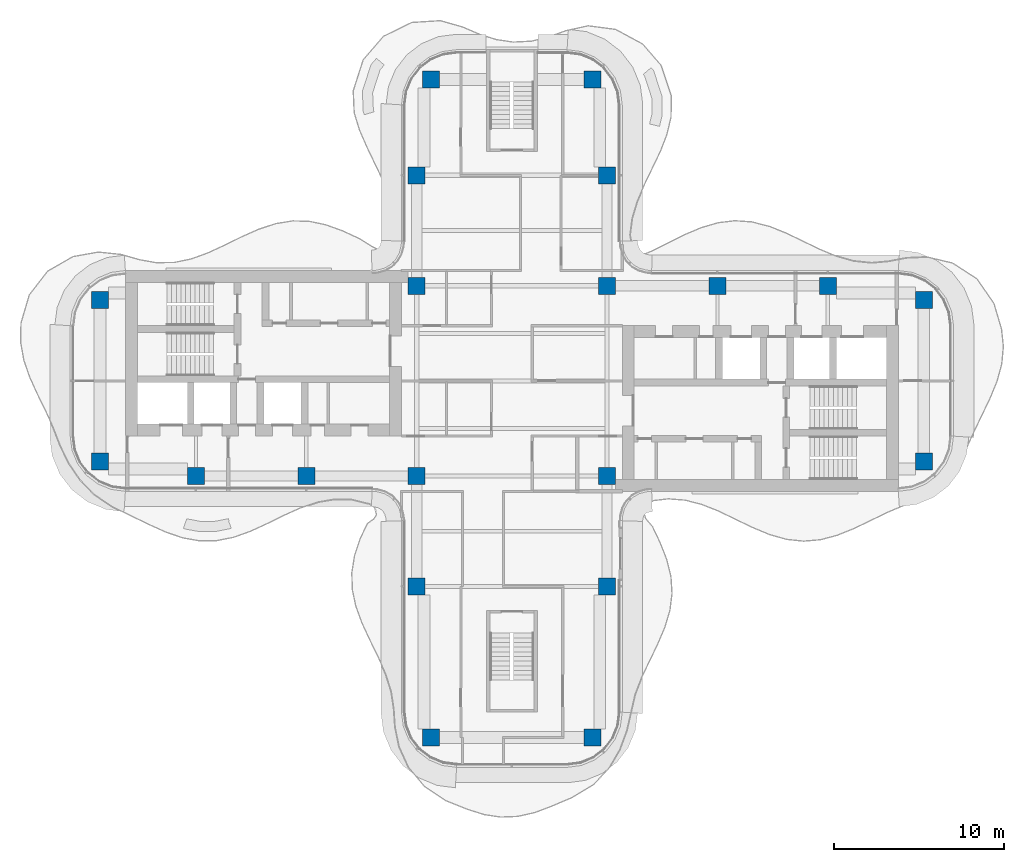
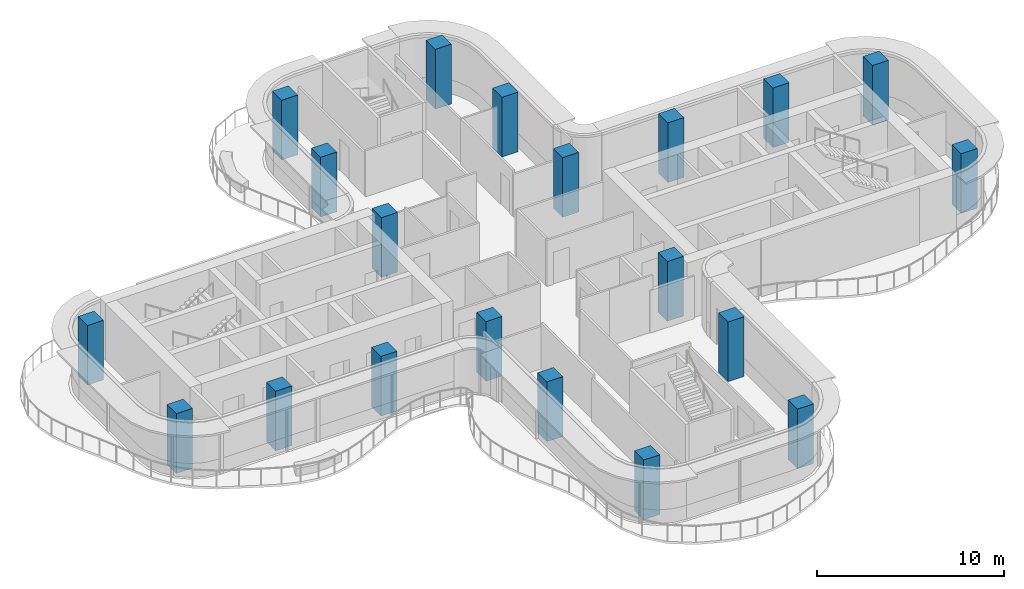
# One storey, part 1 of 16: 20 columns.
"""IFC4 building model written with IfcOpenShell, lengths in metres."""

from ifc_helpers import new_model, si_unit, direction, frame, origin, origin_2d, place, context, subcontext, project, spatial, rectangle, extrude, source, transform, mapped, material, material_profile, profile_set, type_object, element, save


model = new_model("IFC4")

# Units and contexts
model_context = context("Model", 3, precision=1e-05, world=origin(), true_north=direction((0.0, 1.0)))
body_context = subcontext(model_context, "Body", "Model", "MODEL_VIEW")
ifc_project = project(units=[si_unit("LENGTHUNIT", "METRE"), si_unit("AREAUNIT", "SQUARE_METRE"), si_unit("VOLUMEUNIT", "CUBIC_METRE"), si_unit("PLANEANGLEUNIT", "RADIAN"), si_unit("MASSUNIT", "GRAM", prefix="KILO")], contexts=[model_context])

# Site, building, storey
site_placement = place(None, origin())
site = spatial("IfcSite", under=ifc_project, at=site_placement, CompositionType="ELEMENT")
building_placement = place(site_placement, origin())
building = spatial("IfcBuilding", under=site, at=building_placement, Name="Trellis Farm Tower", CompositionType="ELEMENT")
storey_placement = place(building_placement, frame((0.0, 0.0, 314.5)))
storey = spatial("IfcBuildingStorey", under=building, at=storey_placement, Name="L71", CompositionType="ELEMENT", Elevation=314.5)

# Columns
ifc_material = material(Name="Concrete C60/75", Category="concrete")
ifc_material_profile = material_profile(ifc_material, rectangle(XDim=1.0, YDim=1.0, at=origin_2d()), Name="RC column 1000x1000 C60/75")
ifc_profile_set = profile_set([ifc_material_profile], Name="Concrete C60/75")
column_type = type_object("IfcColumnType", Name="RC column 1000x1000 C60/75", PredefinedType="COLUMN", material=ifc_profile_set)
shared_shape = source(origin(), body_context, "Body", "SweptSolid", [
    extrude(rectangle(XDim=1.0, YDim=1.0, at=origin_2d()), origin(), (0.0, 0.0, 1.0), 3.89990234375),
])
for number, where, z_axis, x_axis, name in (
    (1, (12.10009765625, 5.60009765625, 0.0), (0.0, 0.0, 1.0), (1.0, 0.0, 0.0), "Column"),
    (2, (18.60009765625, 5.60009765625, 0.0), (0.0, 0.0, 1.0), (1.0, 0.0, 0.0), "Column"),
    (3, (24.25, 4.75, 0.0), (0.0, 0.0, 1.0), (1.0, 0.0, 0.0), "Column"),
    (4, (24.25, -4.75, 0.0), (0.0, 0.0, 1.0), (1.0, 0.0, 0.0), "Column"),
    (5, (-5.60009765625, 12.10009765625, 0.0), (0.0, 0.0, 1.0), (1.0, 0.0, 0.0), "Column"),
    (6, (-4.75, 17.75, 0.0), (0.0, 0.0, 1.0), (1.0, 0.0, 0.0), "Column"),
    (7, (5.60009765625, 12.10009765625, 0.0), (0.0, 0.0, 1.0), (1.0, 0.0, 0.0), "Column"),
    (8, (4.75, 17.75, 0.0), (0.0, 0.0, 1.0), (1.0, 0.0, 0.0), "Column"),
    (9, (5.60009765625, 5.60009765625, 0.0), (0.0, 0.0, 1.0), (1.0, 0.0, 0.0), "Column"),
    (10, (-5.60009765625, 5.60009765625, 0.0), (0.0, 0.0, 1.0), (1.0, 0.0, 0.0), "Column"),
    (11, (5.60009765625, -5.60009765625, 0.0), (0.0, 0.0, 1.0), (1.0, 0.0, 0.0), "Column"),
    (12, (-5.60009765625, -5.60009765625, 0.0), (0.0, 0.0, 1.0), (1.0, 0.0, 0.0), "Column"),
    (13, (5.60009765625, -12.10009765625, 0.0), (0.0, 0.0, 1.0), (1.0, 0.0, 0.0), "Column"),
    (14, (4.75, -21.0, 0.0), (0.0, 0.0, 1.0), (1.0, 0.0, 0.0), "Column"),
    (15, (-5.60009765625, -12.10009765625, 0.0), (0.0, 0.0, 1.0), (1.0, 0.0, 0.0), "Column"),
    (16, (-4.75, -21.0, 0.0), (0.0, 0.0, 1.0), (1.0, 0.0, 0.0), "Column"),
    (17, (-12.10009765625, -5.60009765625, 0.0), (0.0, 0.0, 1.0), (1.0, 0.0, 0.0), "Column"),
    (18, (-18.60009765625, -5.60009765625, 0.0), (0.0, 0.0, 1.0), (1.0, 0.0, 0.0), "Column"),
    (19, (-24.25, -4.75, 0.0), (0.0, 0.0, 1.0), (1.0, 0.0, 0.0), "Column"),
    (20, (-24.25, 4.75, 0.0), (0.0, 0.0, 1.0), (1.0, 0.0, 0.0), "Column"),
):
    element("IfcColumn", number, at=place(storey_placement, frame(where, z_axis=z_axis, x_axis=x_axis)), inside=storey, type_object=column_type, Name=name, PredefinedType="COLUMN", context=body_context, shape_type="MappedRepresentation", body=[
        mapped(shared_shape, transform((0.0, 0.0, 0.0))),
    ])

save(model, "model.ifc")
